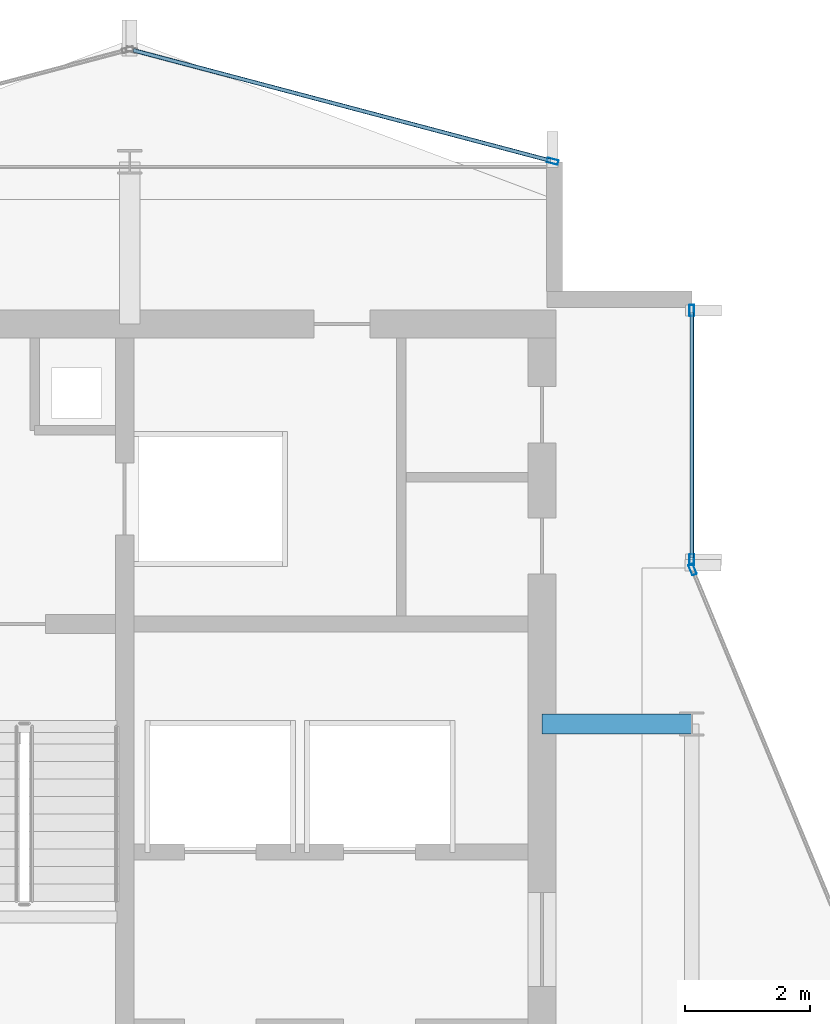
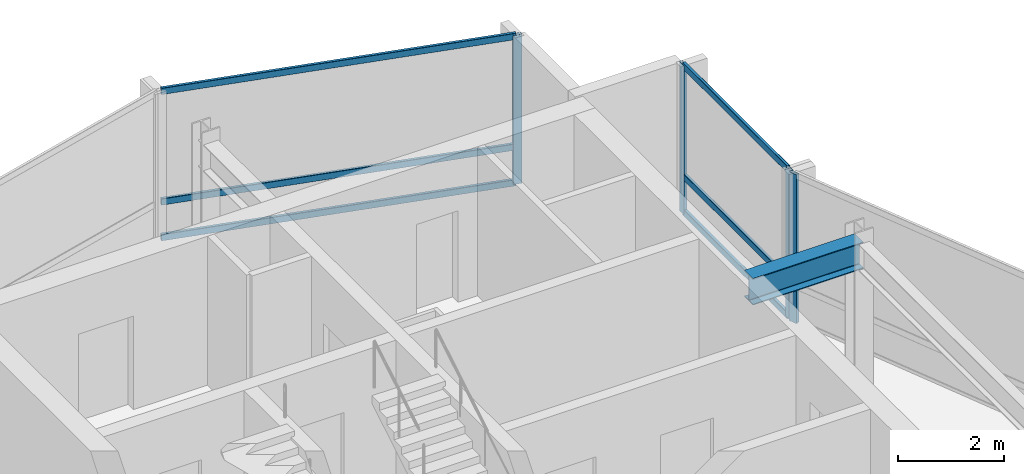
# One storey, part 12 of 19: 10 members, 1 beam, 3 elements without a shape of their own.
"""IFC4 building model written with IfcOpenShell, lengths in metres."""

import ifcopenshell
import ifcopenshell.guid

model = None  # the IFC model being written
_history = None  # IfcOwnerHistory: only IFC2X3 demands one
_inside = {}  # id of a spatial element -> (the spatial element, [elements in it])
_under = {}  # id of a project, library or spatial element -> (it, [spatial elements below it])
_declared = {}  # id of a project -> (the project, [libraries it declares])
_typed = {}  # id of a type object -> (the type object, [elements of that type])
_made_of = {}  # id of a material, layer set ... -> (it, [elements and type objects made of it])


def new_model(schema):
    """Start an empty IFC model of exactly this schema.

    Asked for "IFC4X3", IfcOpenShell would pick the latest addendum, in which some entities
    have other attributes; the version numbers below select the first issue.
    IFC2X3 requires an IfcOwnerHistory on every rooted entity: one is made here for all.
    """
    global model, _history
    if schema == "IFC4X3":
        model = ifcopenshell.file(schema_version=(4, 3, 0, 0))
    else:
        model = ifcopenshell.file(schema=schema)
    _inside.clear()
    _under.clear()
    _declared.clear()
    _typed.clear()
    _made_of.clear()
    _history = None
    if model.schema == "IFC2X3":
        org = make("IfcOrganization", Name="unknown")
        user = make(
            "IfcPersonAndOrganization",
            ThePerson=make("IfcPerson", FamilyName="unknown"),
            TheOrganization=org,
        )
        app = make(
            "IfcApplication",
            ApplicationDeveloper=org,
            Version="unknown",
            ApplicationFullName="unknown",
            ApplicationIdentifier="unknown",
        )
        _history = make(
            "IfcOwnerHistory",
            OwningUser=user,
            OwningApplication=app,
            ChangeAction="ADDED",
            CreationDate=0,
        )
    return model


def make(cls, **values):
    """One entity of the class cls with the attributes given. An attribute that is None is left unset."""
    return model.create_entity(
        cls, **{name: value for name, value in values.items() if value is not None}
    )


def rooted(cls, **values):
    """An entity with a GlobalId (a new one), such as an element, a storey or a relation."""
    return make(cls, GlobalId=ifcopenshell.guid.new(), OwnerHistory=_history, **values)


def si_unit(unit_type, name, prefix=None):
    """IfcSIUnit, for example si_unit("LENGTHUNIT", "METRE", prefix="MILLI")."""
    return make("IfcSIUnit", UnitType=unit_type, Prefix=prefix, Name=name)


def assignment(units):
    """IfcUnitAssignment: the units of a project."""
    return None if units is None else make("IfcUnitAssignment", Units=units)


def point(xyz):
    """IfcCartesianPoint."""
    return None if xyz is None else make("IfcCartesianPoint", Coordinates=xyz)


def direction(xyz):
    """IfcDirection."""
    return None if xyz is None else make("IfcDirection", DirectionRatios=xyz)


def frame(location, z_axis=None, x_axis=None):
    """IfcAxis2Placement3D, a coordinate frame: its origin and axes. An axis left out is left unset."""
    return make(
        "IfcAxis2Placement3D",
        Location=point(location),
        Axis=direction(z_axis),
        RefDirection=direction(x_axis),
    )


def frame_2d(location, x_axis=None):
    """IfcAxis2Placement2D, a coordinate frame in the plane: its origin and x axis."""
    return make(
        "IfcAxis2Placement2D", Location=point(location), RefDirection=direction(x_axis)
    )


def origin():
    """The frame at (0, 0, 0) with its axes left unset."""
    return frame((0.0, 0.0, 0.0))


def origin_2d():
    """The frame at (0, 0) in the plane with its x axis left unset."""
    return frame_2d((0.0, 0.0))


def place(relative_to, where):
    """IfcLocalPlacement: puts the frame where relative to a parent placement (None: the world)."""
    return make(
        "IfcLocalPlacement", PlacementRelTo=relative_to, RelativePlacement=where
    )


def context(
    kind, dimensions, precision=None, world=None, true_north=None, identifier=None
):
    """IfcGeometricRepresentationContext, for example the 3D "Model" context."""
    return make(
        "IfcGeometricRepresentationContext",
        ContextIdentifier=identifier,
        ContextType=kind,
        CoordinateSpaceDimension=dimensions,
        Precision=precision,
        WorldCoordinateSystem=world,
        TrueNorth=true_north,
    )


def subcontext(parent, identifier, kind, view, scale=None):
    """IfcGeometricRepresentationSubContext, for example "Body" below "Model"."""
    return make(
        "IfcGeometricRepresentationSubContext",
        ContextIdentifier=identifier,
        ContextType=kind,
        ParentContext=parent,
        TargetScale=scale,
        TargetView=view,
    )


def project(units=None, contexts=None):
    """IfcProject with its units and contexts."""
    return rooted(
        "IfcProject",
        Name="project",
        RepresentationContexts=contexts,
        UnitsInContext=assignment(units),
    )


def spatial(cls, under=None, at=None, **own):
    """A site, building, storey or space (cls), placed at a placement, below another one or the project."""
    s = rooted(cls, ObjectPlacement=at, **own)
    if under is not None:
        _under.setdefault(under.id(), (under, []))[1].append(s)
    return s


def profile(cls, at=None, kind="AREA", **sizes):
    """A parametric profile (cls). Its sizes go by their IFC names, for example OverallWidth=200.0."""
    return make(cls, ProfileType=kind, Position=at, **sizes)


def hollow_rectangle(**sizes):
    """IfcRectangleHollowProfileDef."""
    return profile("IfcRectangleHollowProfileDef", **sizes)


def i_section(**sizes):
    """IfcIShapeProfileDef."""
    return profile("IfcIShapeProfileDef", **sizes)


def extrude(swept, where, along, depth):
    """IfcExtrudedAreaSolid: the profile swept, set in the frame where, extruded along a direction by depth."""
    return make(
        "IfcExtrudedAreaSolid",
        SweptArea=swept,
        Position=where,
        ExtrudedDirection=direction(along),
        Depth=depth,
    )


def shape(context_of_items, identifier, shape_type, items):
    """IfcShapeRepresentation: the items that make up one representation, for example the "Body"."""
    return make(
        "IfcShapeRepresentation",
        ContextOfItems=context_of_items,
        RepresentationIdentifier=identifier,
        RepresentationType=shape_type,
        Items=items,
    )


def material(Name=None, Category=None):
    """IfcMaterial."""
    return make("IfcMaterial", Name=Name, Category=Category)


def layer(
    of_material, thickness, ventilated=None, Name=None, Category=None, Priority=None
):
    """IfcMaterialLayer: one layer of a wall or slab, of a material (None: an air gap)."""
    return make(
        "IfcMaterialLayer",
        Material=of_material,
        LayerThickness=thickness,
        IsVentilated=ventilated,
        Name=Name,
        Category=Category,
        Priority=Priority,
    )


def layer_set(layers, Name=None):
    """IfcMaterialLayerSet."""
    return make("IfcMaterialLayerSet", MaterialLayers=layers, LayerSetName=Name)


def material_profile(
    of_material, cross_section, Name=None, Category=None, Priority=None
):
    """IfcMaterialProfile: a cross section and its material."""
    return make(
        "IfcMaterialProfile",
        Name=Name,
        Material=of_material,
        Profile=cross_section,
        Priority=Priority,
        Category=Category,
    )


def profile_set(profiles, Name=None, composite=None):
    """IfcMaterialProfileSet."""
    return make(
        "IfcMaterialProfileSet",
        Name=Name,
        MaterialProfiles=profiles,
        CompositeProfile=composite,
    )


def made_of(thing, what):
    """Note that an element or type object is made of a material, layer set ...; save() writes the relation."""
    if what is not None:
        _made_of.setdefault(what.id(), (what, []))[1].append(thing)
    return thing


def type_object(cls, material=None, **own):
    """A type object (cls), such as IfcWallType, which elements share."""
    return made_of(rooted(cls, **own), material)


def element(
    cls,
    number,
    at=None,
    inside=None,
    cuts=None,
    type_object=None,
    material=None,
    context=None,
    identifier="Body",
    shape_type=None,
    held_by="IfcProductDefinitionShape",
    body=None,
    shapes=None,
    **own,
):
    """One element of the class cls, such as IfcWall. Its Tag is "e" and its number.

    at: its placement. inside: the storey or other place that contains it. cuts: it is an
    opening in that element (IfcRelVoidsElement). A single representation is given by context,
    identifier, shape_type and body (its items); several are given by shapes. held_by: the class
    of the entity that holds the representations. save() writes the other relations.
    """
    e = rooted(cls, Tag="e%d" % number, ObjectPlacement=at, **own)
    if body is not None:
        shapes = [shape(context, identifier, shape_type, body)]
    if shapes is not None:
        e.Representation = make(held_by, Representations=shapes)
    if inside is not None:
        _inside.setdefault(inside.id(), (inside, []))[1].append(e)
    if cuts is not None:
        rooted(
            "IfcRelVoidsElement", RelatingBuildingElement=cuts, RelatedOpeningElement=e
        )
    if type_object is not None:
        _typed.setdefault(type_object.id(), (type_object, []))[1].append(e)
    return made_of(e, material)


def aggregate(whole, parts):
    """IfcRelAggregates: a whole, such as a stair, and the parts it consists of."""
    return rooted("IfcRelAggregates", RelatingObject=whole, RelatedObjects=parts)


def save(model, path):
    """Write the relations noted so far, then the file.

    IfcRelAggregates (storeys below a building ...), IfcRelContainedInSpatialStructure (elements
    in a storey), IfcRelDefinesByType, IfcRelAssociatesMaterial and IfcRelDeclares: one each for
    every whole, place, type object, material and project.
    """
    for whole, parts in _under.values():
        aggregate(whole, parts)
    for where, things in _inside.values():
        rooted(
            "IfcRelContainedInSpatialStructure",
            RelatedElements=things,
            RelatingStructure=where,
        )
    for kind, things in _typed.values():
        rooted("IfcRelDefinesByType", RelatedObjects=things, RelatingType=kind)
    for what, things in _made_of.values():
        rooted("IfcRelAssociatesMaterial", RelatedObjects=things, RelatingMaterial=what)
    for by, libraries in _declared.values():
        rooted("IfcRelDeclares", RelatingContext=by, RelatedDefinitions=libraries)
    model.write(path)


model = new_model("IFC4")

# Units and contexts
model_context = context("Model", 3, precision=1e-05, world=origin(), true_north=direction((0.0, 1.0)))
body_context = subcontext(model_context, "Body", "Model", "MODEL_VIEW")
ifc_project = project(units=[si_unit("LENGTHUNIT", "METRE"), si_unit("AREAUNIT", "SQUARE_METRE"), si_unit("VOLUMEUNIT", "CUBIC_METRE"), si_unit("PLANEANGLEUNIT", "RADIAN"), si_unit("MASSUNIT", "GRAM", prefix="KILO")], contexts=[model_context])

# Site, building, storey
site_placement = place(None, origin())
site = spatial("IfcSite", under=ifc_project, at=site_placement, CompositionType="ELEMENT")
building_placement = place(site_placement, origin())
building = spatial("IfcBuilding", under=site, at=building_placement, Name="Solvaryn Broadcast Tower", CompositionType="ELEMENT")
storey_placement = place(building_placement, frame((0.0, 0.0, 251.89990234375)))
storey = spatial("IfcBuildingStorey", under=building, at=storey_placement, Name="L63", CompositionType="ELEMENT", Elevation=251.89990234375)

# Beam
ifc_material_1 = material(Name="Steel ASTM A992 Grade 50", Category="steel")
ifc_material_profile_1 = material_profile(ifc_material_1, i_section(OverallWidth=0.323974609375, OverallDepth=0.611083984375, WebThickness=0.0126953125, FlangeThickness=0.01904296875, FilletRadius=0.014892578125, at=origin_2d()))
ifc_profile_set_1 = profile_set([ifc_material_profile_1], Name="Steel ASTM A992 Grade 50")
beam_type = type_object("IfcBeamType", Name="BM-B1-W24X104", PredefinedType="BEAM", material=ifc_profile_set_1)
beam_placement = place(storey_placement, frame((24.60009765625, 36.0, 3.114501953125), z_axis=(1.0, 0.0, 0.0), x_axis=(0.0, 1.0, 0.0)))
element("IfcBeam", 1, at=beam_placement, inside=storey, type_object=beam_type, Name="L63 Core Tie Beam CTW2", PredefinedType="BEAM", context=body_context, shape_type="SweptSolid", body=[
    extrude(i_section(OverallWidth=0.323974609375, OverallDepth=0.611083984375, WebThickness=0.0126953125, FlangeThickness=0.01904296875, FilletRadius=0.014892578125, at=origin_2d()), origin(), (0.0, 0.0, 1.0), 2.39990234375),
])

# Curtain wall, members
ifc_material_2 = material(Name="Aluminium and Terracotta Unitised Curtain Wall", Category="masonry")
ifc_layer = layer(ifc_material_2, 0.199951171875)
ifc_layer_set = layer_set([ifc_layer], Name="CW-SYS2-LOWMID")
curtain_wall_type = type_object("IfcCurtainWallType", Name="CW-SYS2-LOWMID", PredefinedType="NOTDEFINED", material=ifc_layer_set)
curtain_wall_1_placement = place(storey_placement, origin())
curtain_wall_1 = element("IfcCurtainWall", 2, at=curtain_wall_1_placement, inside=storey, type_object=curtain_wall_type, Name="L63 Curtain Wall IV", PredefinedType="NOTDEFINED")
ifc_material_3 = material(Name="Anodised Aluminium 6063-T6", Category="aluminium")
ifc_material_profile_2 = material_profile(ifc_material_3, hollow_rectangle(XDim=0.074951171875, YDim=0.179931640625, WallThickness=0.00390625, InnerFilletRadius=0.00390625, OuterFilletRadius=0.008056640625, at=origin_2d()))
ifc_profile_set_2 = profile_set([ifc_material_profile_2], Name="Anodised Aluminium 6063-T6")
member_type_1 = type_object("IfcMemberType", Name="CW-MUL-180", PredefinedType="MULLION", material=ifc_profile_set_2)
member_1_placement = place(storey_placement, frame((27.0, 42.6201171875, 0.0), z_axis=(0.0, 0.0, 1.0), x_axis=(1.0, 0.0, 0.0)))
member_1 = element("IfcMember", 3, at=member_1_placement, type_object=member_type_1, Name="CWS2 mullion 1", PredefinedType="MULLION", context=body_context, shape_type="SweptSolid", body=[
    extrude(hollow_rectangle(XDim=0.074951171875, YDim=0.179931640625, WallThickness=0.00390625, InnerFilletRadius=0.00390625, OuterFilletRadius=0.008056640625, at=origin_2d()), origin(), (0.0, 0.0, 1.0), 3.420166015625),
])
member_2_placement = place(storey_placement, frame((27.0, 38.6298828125, 0.0), z_axis=(0.0, 0.0, 1.0), x_axis=(1.0, 0.0, 0.0)))
member_2 = element("IfcMember", 4, at=member_2_placement, type_object=member_type_1, Name="CWS2 mullion 2", PredefinedType="MULLION", context=body_context, shape_type="SweptSolid", body=[
    extrude(hollow_rectangle(XDim=0.074951171875, YDim=0.179931640625, WallThickness=0.00390625, InnerFilletRadius=0.00390625, OuterFilletRadius=0.008056640625, at=origin_2d()), origin(), (0.0, 0.0, 1.0), 3.420166015625),
])

# Curtain wall, member
curtain_wall_2_placement = place(storey_placement, origin())
curtain_wall_2 = element("IfcCurtainWall", 5, at=curtain_wall_2_placement, inside=storey, type_object=curtain_wall_type, Name="L63 Curtain Wall CN2", PredefinedType="NOTDEFINED")
member_3_placement = place(storey_placement, frame((27.011474609375, 38.47216796875, 0.0), z_axis=(0.0, 0.0, 1.0), x_axis=(-0.923894983957, -0.382646127145, 0.0)))
member_3 = element("IfcMember", 6, at=member_3_placement, type_object=member_type_1, Name="CWS2 mullion 2", PredefinedType="MULLION", context=body_context, shape_type="SweptSolid", body=[
    extrude(hollow_rectangle(XDim=0.074951171875, YDim=0.179931640625, WallThickness=0.00390625, InnerFilletRadius=0.00390625, OuterFilletRadius=0.008056640625, at=origin_2d()), origin(), (0.0, 0.0, 1.0), 3.420166015625),
])
aggregate(curtain_wall_2, [member_3])

curtain_wall_3_placement = place(storey_placement, origin())
curtain_wall_3 = element("IfcCurtainWall", 7, at=curtain_wall_3_placement, inside=storey, type_object=curtain_wall_type, Name="L63 Curtain Wall NT1", PredefinedType="NOTDEFINED")
member_4_placement = place(storey_placement, frame((24.77099609375, 45.007568359375, 0.0), z_axis=(0.0, 0.0, 1.0), x_axis=(-0.25589256031, -0.966705227863, 0.0)))
member_4 = element("IfcMember", 8, at=member_4_placement, type_object=member_type_1, Name="CWS2 mullion 1", PredefinedType="MULLION", context=body_context, shape_type="SweptSolid", body=[
    extrude(hollow_rectangle(XDim=0.074951171875, YDim=0.179931640625, WallThickness=0.00390625, InnerFilletRadius=0.00390625, OuterFilletRadius=0.008056640625, at=origin_2d()), origin(), (0.0, 0.0, 1.0), 3.420166015625),
])

# Member
ifc_material_4 = material(Name="Anodised Aluminium 6063-T6", Category="aluminium")
ifc_material_profile_3 = material_profile(ifc_material_4, hollow_rectangle(XDim=0.06494140625, YDim=0.14990234375, WallThickness=0.00390625, InnerFilletRadius=0.00390625, OuterFilletRadius=0.008056640625, at=origin_2d()))
ifc_profile_set_3 = profile_set([ifc_material_profile_3], Name="Anodised Aluminium 6063-T6")
member_type_2 = type_object("IfcMemberType", Name="CW-TRN-150", PredefinedType="USERDEFINED", material=ifc_profile_set_3)
member_5_placement = place(storey_placement, frame((27.0, 42.590087890625, 0.030029296875), z_axis=(0.0, -1.0, 0.0), x_axis=(1.0, 0.0, 0.0)))
member_5 = element("IfcMember", 9, at=member_5_placement, type_object=member_type_2, Name="CWS2 transom 1.1", ObjectType="TRANSOM", PredefinedType="USERDEFINED", context=body_context, shape_type="SweptSolid", body=[
    extrude(hollow_rectangle(XDim=0.06494140625, YDim=0.14990234375, WallThickness=0.00390625, InnerFilletRadius=0.00390625, OuterFilletRadius=0.008056640625, at=origin_2d()), origin(), (0.0, 0.0, 1.0), 3.93017578125),
])

member_6_placement = place(storey_placement, frame((27.0, 42.590087890625, 0.85009765625), z_axis=(0.0, -1.0, 0.0), x_axis=(1.0, 0.0, 0.0)))
member_6 = element("IfcMember", 10, at=member_6_placement, type_object=member_type_2, Name="CWS2 transom 1.2", ObjectType="TRANSOM", PredefinedType="USERDEFINED", context=body_context, shape_type="SweptSolid", body=[
    extrude(hollow_rectangle(XDim=0.06494140625, YDim=0.14990234375, WallThickness=0.00390625, InnerFilletRadius=0.00390625, OuterFilletRadius=0.008056640625, at=origin_2d()), origin(), (0.0, 0.0, 1.0), 3.93017578125),
])

member_7_placement = place(storey_placement, frame((27.0, 42.590087890625, 3.39013671875), z_axis=(0.0, -1.0, 0.0), x_axis=(1.0, 0.0, 0.0)))
member_7 = element("IfcMember", 11, at=member_7_placement, type_object=member_type_2, Name="CWS2 transom 1.3", ObjectType="TRANSOM", PredefinedType="USERDEFINED", context=body_context, shape_type="SweptSolid", body=[
    extrude(hollow_rectangle(XDim=0.06494140625, YDim=0.14990234375, WallThickness=0.00390625, InnerFilletRadius=0.00390625, OuterFilletRadius=0.008056640625, at=origin_2d()), origin(), (0.0, 0.0, 1.0), 3.93017578125),
])

aggregate(curtain_wall_1, [member_1, member_2, member_5, member_6, member_7])

member_8_placement = place(storey_placement, frame((24.741943359375, 45.015380859375, 0.030029296875), z_axis=(-0.966703943301, 0.255897413051, 0.0), x_axis=(-0.255897413051, -0.966703943301, 0.0)))
member_8 = element("IfcMember", 12, at=member_8_placement, type_object=member_type_2, Name="CWS2 transom 1.1", ObjectType="TRANSOM", PredefinedType="USERDEFINED", context=body_context, shape_type="SweptSolid", body=[
    extrude(hollow_rectangle(XDim=0.06494140625, YDim=0.14990234375, WallThickness=0.00390625, InnerFilletRadius=0.00390625, OuterFilletRadius=0.008056640625, at=origin_2d()), origin(), (0.0, 0.0, 1.0), 6.9140625),
])

member_9_placement = place(storey_placement, frame((24.741943359375, 45.015380859375, 0.85009765625), z_axis=(-0.966703943301, 0.255897413051, 0.0), x_axis=(-0.255897413051, -0.966703943301, 0.0)))
member_9 = element("IfcMember", 13, at=member_9_placement, type_object=member_type_2, Name="CWS2 transom 1.2", ObjectType="TRANSOM", PredefinedType="USERDEFINED", context=body_context, shape_type="SweptSolid", body=[
    extrude(hollow_rectangle(XDim=0.06494140625, YDim=0.14990234375, WallThickness=0.00390625, InnerFilletRadius=0.00390625, OuterFilletRadius=0.008056640625, at=origin_2d()), origin(), (0.0, 0.0, 1.0), 6.9140625),
])

member_10_placement = place(storey_placement, frame((24.741943359375, 45.015380859375, 3.39013671875), z_axis=(-0.966703943301, 0.255897413051, 0.0), x_axis=(-0.255897413051, -0.966703943301, 0.0)))
member_10 = element("IfcMember", 14, at=member_10_placement, type_object=member_type_2, Name="CWS2 transom 1.3", ObjectType="TRANSOM", PredefinedType="USERDEFINED", context=body_context, shape_type="SweptSolid", body=[
    extrude(hollow_rectangle(XDim=0.06494140625, YDim=0.14990234375, WallThickness=0.00390625, InnerFilletRadius=0.00390625, OuterFilletRadius=0.008056640625, at=origin_2d()), origin(), (0.0, 0.0, 1.0), 6.9140625),
])

aggregate(curtain_wall_3, [member_4, member_8, member_9, member_10])

save(model, "model.ifc")
